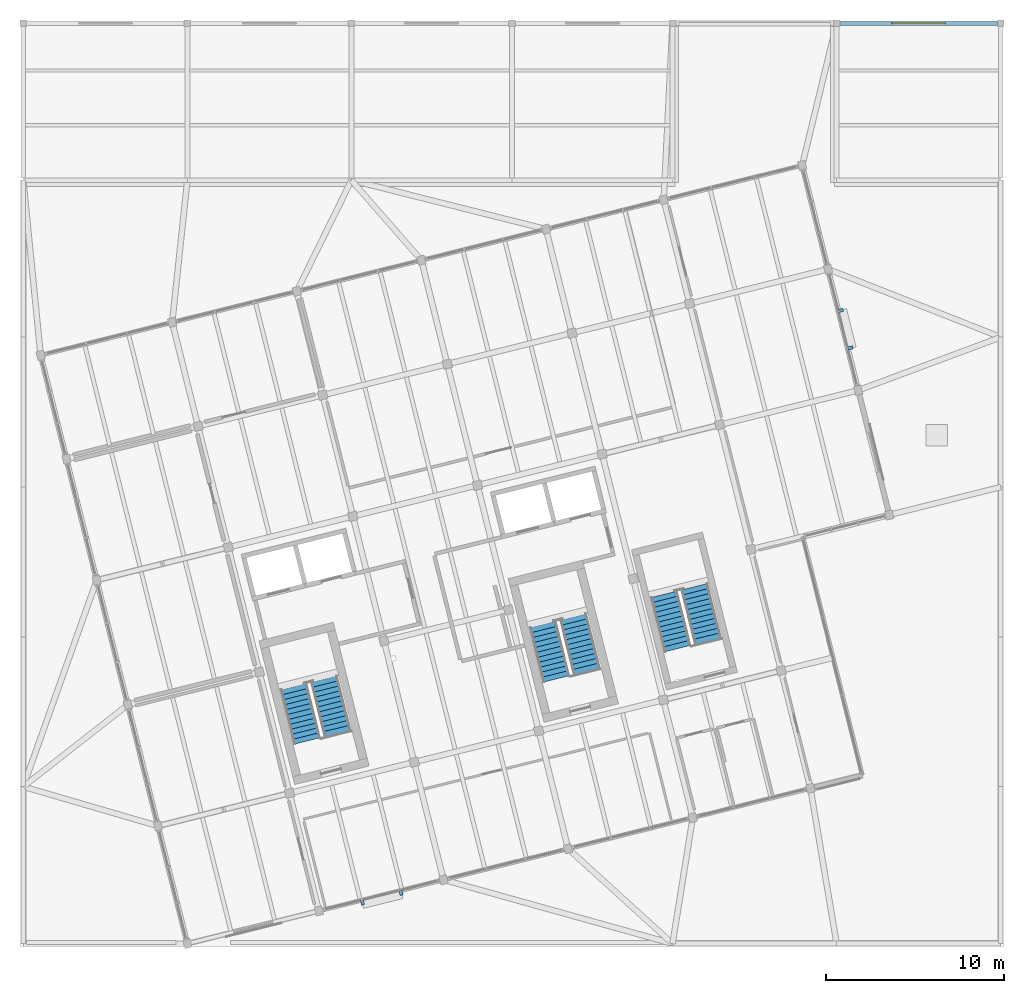
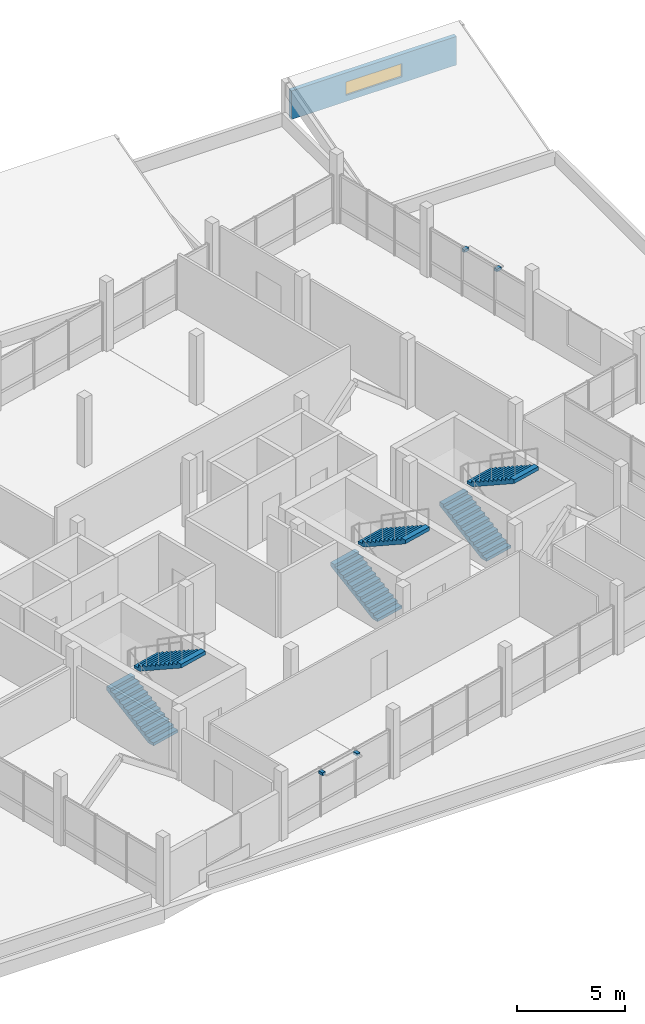
# One storey, part 36 of 37: 6 stair flights, 4 discrete accessories, 1 wall, 1 window, 1 opening, 3 elements without a shape of their own.
"""IFC4 building model written with IfcOpenShell, lengths in metres."""

from ifc_helpers import new_model, si_unit, direction, frame, frame_2d, origin, origin_2d, place, context, subcontext, project, spatial, polyline, rectangle, outline, extrude, material, layer, layer_set, type_object, element, fill, aggregate, save


model = new_model("IFC4")

# Units and contexts
model_context = context("Model", 3, precision=1e-05, world=origin(), true_north=direction((0.0, 1.0)))
body_context = subcontext(model_context, "Body", "Model", "MODEL_VIEW")
ifc_project = project(units=[si_unit("LENGTHUNIT", "METRE"), si_unit("AREAUNIT", "SQUARE_METRE"), si_unit("VOLUMEUNIT", "CUBIC_METRE"), si_unit("PLANEANGLEUNIT", "RADIAN"), si_unit("MASSUNIT", "GRAM", prefix="KILO")], contexts=[model_context])

# Site, building, storey
site_placement = place(None, origin())
site = spatial("IfcSite", under=ifc_project, at=site_placement, CompositionType="ELEMENT")
building_placement = place(site_placement, origin())
building = spatial("IfcBuilding", under=site, at=building_placement, Name="Meriwether Solvik Hall", CompositionType="ELEMENT")
storey_placement = place(building_placement, frame((0.0, 0.0, 26.10009765625)))
storey = spatial("IfcBuildingStorey", under=building, at=storey_placement, Name="L06", CompositionType="ELEMENT", Elevation=26.10009765625)

# Wall, opening, window
ifc_material_1 = material(Name="Cross-Laminated Timber and Polyisocyanurate Insulation", Category="wood")
ifc_layer = layer(ifc_material_1, 0.22998046875)
ifc_layer_set = layer_set([ifc_layer], Name="Cross-Laminated Timber and Polyisocyanurate Insulation")
wall_type = type_object("IfcWallType", Name="WALL-MON-230", PredefinedType="SOLIDWALL", material=ifc_layer_set)
wall_placement = place(storey_placement, frame((114.010009765625, 92.800048828125, 0.1748046875), z_axis=(0.0, 0.0, 1.0), x_axis=(-1.0, 0.0, 0.0)))
wall = element("IfcWall", 1, at=wall_placement, inside=storey, type_object=wall_type, Name="Sawtooth Monitor Clerestory Wall w4b_north_e_b1", PredefinedType="SOLIDWALL", context=body_context, shape_type="SweptSolid", body=[
    extrude(rectangle(XDim=8.820068359375, YDim=0.22998046875, at=frame_2d((4.41015625, 0.0))), origin(), (0.0, 0.0, 1.0), 1.6162109375),
])
opening_placement = place(wall_placement, frame((2.909912109375, 0.0, 0.35009765625)))
opening = element("IfcOpeningElement", 2, at=opening_placement, cuts=wall, Name="Opening SK-164", PredefinedType="OPENING", context=body_context, shape_type="SweptSolid", body=[
    extrude(rectangle(XDim=3.0, YDim=0.75, at=frame_2d((1.5, 0.375))), frame((0.0, 0.126953125, 0.0), z_axis=(0.0, -1.0, 0.0), x_axis=(1.0, 0.0, 0.0)), (0.0, 0.0, 1.0), 0.25390625),
])
ifc_material_2 = material(Name="Thermally Broken Anodised Aluminium and Triple Low-E Glass", Category="aluminium")
window_type = type_object("IfcWindowType", Name="SKY-MON-300X075", PartitioningType="SINGLE_PANEL", PredefinedType="SKYLIGHT", material=ifc_material_2)
window_placement = place(opening_placement, origin())
window = element("IfcWindow", 3, at=window_placement, inside=storey, type_object=window_type, Name="Sawtooth Northlight Skylight w4b_north_e_b1-1", OverallHeight=0.75, OverallWidth=3.0, PartitioningType="SINGLE_PANEL", PredefinedType="SKYLIGHT", context=body_context, shape_type="SweptSolid", body=[
    extrude(rectangle(XDim=3.0, YDim=0.75, at=frame_2d((1.5, 0.375))), frame((0.0, 0.030029296875, 0.0), z_axis=(0.0, -1.0, 0.0), x_axis=(1.0, 0.0, 0.0)), (0.0, 0.0, 1.0), 0.06005859375),
])
fill(opening, window)

# Stair, stair flights
ifc_material_3 = material(Name="Concrete C40/50", Category="concrete")
stair_type = type_object("IfcStairType", Name="STR-CORE-DOGLEG-A", PredefinedType="TWO_STRAIGHT_RUN_STAIR", material=ifc_material_3)
stair_1_placement = place(storey_placement, origin())
stair_1 = element("IfcStair", 4, at=stair_1_placement, inside=storey, type_object=stair_type, Name="Exit Stair ST-01 (L06)", PredefinedType="TWO_STRAIGHT_RUN_STAIR")
ifc_material_4 = material(Name="Concrete C40/50", Category="concrete")
stair_flight_type = type_object("IfcStairFlightType", Name="SFL-RC-156", PredefinedType="STRAIGHT", material=ifc_material_4)
stair_flight_1_placement = place(storey_placement, frame((75.310791015625, 52.56103515625, 0.0), z_axis=(0.0, 0.0, 1.0), x_axis=(-0.2419218956, 0.970295726276, 0.0)))
stair_flight_1 = element("IfcStairFlight", 5, at=stair_flight_1_placement, type_object=stair_flight_type, Name="Stair ST-01 Lower Flight (L06)", NumberOfRisers=12, NumberOfTreads=11, PredefinedType="STRAIGHT", RiserHeight=0.1625, TreadLength=0.285, context=body_context, shape_type="SweptSolid", body=[
    extrude(outline(polyline([(0.0, 0.0), (0.0, 0.16259765625), (0.284912109375, 0.16259765625), (0.284912109375, 0.324951171875), (0.570068359375, 0.324951171875), (0.570068359375, 0.487548828125), (0.85498046875, 0.487548828125), (0.85498046875, 0.64990234375), (1.139892578125, 0.64990234375), (1.139892578125, 0.8125), (1.425048828125, 0.8125), (1.425048828125, 0.97509765625), (1.7099609375, 0.97509765625), (1.7099609375, 1.137451171875), (1.9951171875, 1.137451171875), (1.9951171875, 1.300048828125), (2.280029296875, 1.300048828125), (2.280029296875, 1.46240234375), (2.56494140625, 1.46240234375), (2.56494140625, 1.625), (2.85009765625, 1.625), (2.85009765625, 1.78759765625), (3.135009765625, 1.78759765625), (3.135009765625, 1.949951171875), (3.135009765625, 1.580322265625), (0.36328125, 0.0), (0.0, 0.0)])), frame((0.0, 0.780029296875, 0.0), z_axis=(0.0, -1.0, 0.0), x_axis=(1.0, 0.0, 0.0)), (0.0, 0.0, 1.0), 1.56005859375),
])
stair_flight_2_placement = place(storey_placement, frame((76.279541015625, 56.033447265625, 1.949951171875), z_axis=(0.0, 0.0, 1.0), x_axis=(0.2419218956, -0.970295726276, 0.0)))
stair_flight_2 = element("IfcStairFlight", 6, at=stair_flight_2_placement, type_object=stair_flight_type, Name="Stair ST-01 Upper Flight (L06)", NumberOfRisers=12, NumberOfTreads=11, PredefinedType="STRAIGHT", RiserHeight=0.1625, TreadLength=0.285, context=body_context, shape_type="SweptSolid", body=[
    extrude(outline(polyline([(0.0, 0.0), (0.0, 0.16259765625), (0.284912109375, 0.16259765625), (0.284912109375, 0.324951171875), (0.570068359375, 0.324951171875), (0.570068359375, 0.487548828125), (0.85498046875, 0.487548828125), (0.85498046875, 0.64990234375), (1.139892578125, 0.64990234375), (1.139892578125, 0.8125), (1.425048828125, 0.8125), (1.425048828125, 0.97509765625), (1.7099609375, 0.97509765625), (1.7099609375, 1.137451171875), (1.9951171875, 1.137451171875), (1.9951171875, 1.300048828125), (2.280029296875, 1.300048828125), (2.280029296875, 1.46240234375), (2.56494140625, 1.46240234375), (2.56494140625, 1.625), (2.85009765625, 1.625), (2.85009765625, 1.78759765625), (3.135009765625, 1.78759765625), (3.135009765625, 1.949951171875), (3.135009765625, 1.580322265625), (0.36328125, 0.0), (0.0, 0.0)])), frame((0.0, 0.780029296875, 0.0), z_axis=(0.0, -1.0, 0.0), x_axis=(1.0, 0.0, 0.0)), (0.0, 0.0, 1.0), 1.56005859375),
])
aggregate(stair_1, [stair_flight_1, stair_flight_2])

stair_2_placement = place(storey_placement, origin())
stair_2 = element("IfcStair", 7, at=stair_2_placement, inside=storey, type_object=stair_type, Name="Exit Stair ST-02 (L06)", PredefinedType="TWO_STRAIGHT_RUN_STAIR")
stair_flight_3_placement = place(storey_placement, frame((89.283203125, 56.044677734375, 0.0), z_axis=(0.0, 0.0, 1.0), x_axis=(-0.2419218956, 0.970295726276, 0.0)))
stair_flight_3 = element("IfcStairFlight", 8, at=stair_flight_3_placement, type_object=stair_flight_type, Name="Stair ST-02 Lower Flight (L06)", NumberOfRisers=12, NumberOfTreads=11, PredefinedType="STRAIGHT", RiserHeight=0.1625, TreadLength=0.285, context=body_context, shape_type="SweptSolid", body=[
    extrude(outline(polyline([(0.0, 0.0), (0.0, 0.16259765625), (0.284912109375, 0.16259765625), (0.284912109375, 0.324951171875), (0.570068359375, 0.324951171875), (0.570068359375, 0.487548828125), (0.85498046875, 0.487548828125), (0.85498046875, 0.64990234375), (1.139892578125, 0.64990234375), (1.139892578125, 0.8125), (1.425048828125, 0.8125), (1.425048828125, 0.97509765625), (1.7099609375, 0.97509765625), (1.7099609375, 1.137451171875), (1.9951171875, 1.137451171875), (1.9951171875, 1.300048828125), (2.280029296875, 1.300048828125), (2.280029296875, 1.46240234375), (2.56494140625, 1.46240234375), (2.56494140625, 1.625), (2.85009765625, 1.625), (2.85009765625, 1.78759765625), (3.135009765625, 1.78759765625), (3.135009765625, 1.949951171875), (3.135009765625, 1.580322265625), (0.36328125, 0.0), (0.0, 0.0)])), frame((0.0, 0.780029296875, 0.0), z_axis=(0.0, -1.0, 0.0), x_axis=(1.0, 0.0, 0.0)), (0.0, 0.0, 1.0), 1.56005859375),
])
stair_flight_4_placement = place(storey_placement, frame((90.251953125, 59.51708984375, 1.949951171875), z_axis=(0.0, 0.0, 1.0), x_axis=(0.2419218956, -0.970295726276, 0.0)))
stair_flight_4 = element("IfcStairFlight", 9, at=stair_flight_4_placement, type_object=stair_flight_type, Name="Stair ST-02 Upper Flight (L06)", NumberOfRisers=12, NumberOfTreads=11, PredefinedType="STRAIGHT", RiserHeight=0.1625, TreadLength=0.285, context=body_context, shape_type="SweptSolid", body=[
    extrude(outline(polyline([(0.0, 0.0), (0.0, 0.16259765625), (0.284912109375, 0.16259765625), (0.284912109375, 0.324951171875), (0.570068359375, 0.324951171875), (0.570068359375, 0.487548828125), (0.85498046875, 0.487548828125), (0.85498046875, 0.64990234375), (1.139892578125, 0.64990234375), (1.139892578125, 0.8125), (1.425048828125, 0.8125), (1.425048828125, 0.97509765625), (1.7099609375, 0.97509765625), (1.7099609375, 1.137451171875), (1.9951171875, 1.137451171875), (1.9951171875, 1.300048828125), (2.280029296875, 1.300048828125), (2.280029296875, 1.46240234375), (2.56494140625, 1.46240234375), (2.56494140625, 1.625), (2.85009765625, 1.625), (2.85009765625, 1.78759765625), (3.135009765625, 1.78759765625), (3.135009765625, 1.949951171875), (3.135009765625, 1.580322265625), (0.36328125, 0.0), (0.0, 0.0)])), frame((0.0, 0.780029296875, 0.0), z_axis=(0.0, -1.0, 0.0), x_axis=(1.0, 0.0, 0.0)), (0.0, 0.0, 1.0), 1.56005859375),
])
aggregate(stair_2, [stair_flight_3, stair_flight_4])

stair_3_placement = place(storey_placement, origin())
stair_3 = element("IfcStair", 10, at=stair_3_placement, inside=storey, type_object=stair_type, Name="Exit Stair ST-03 (L06)", PredefinedType="TWO_STRAIGHT_RUN_STAIR")
stair_flight_5_placement = place(storey_placement, frame((96.0751953125, 57.738037109375, 0.0), z_axis=(0.0, 0.0, 1.0), x_axis=(-0.2419218956, 0.970295726276, 0.0)))
stair_flight_5 = element("IfcStairFlight", 11, at=stair_flight_5_placement, type_object=stair_flight_type, Name="Stair ST-03 Lower Flight (L06)", NumberOfRisers=12, NumberOfTreads=11, PredefinedType="STRAIGHT", RiserHeight=0.1625, TreadLength=0.285, context=body_context, shape_type="SweptSolid", body=[
    extrude(outline(polyline([(0.0, 0.0), (0.0, 0.16259765625), (0.284912109375, 0.16259765625), (0.284912109375, 0.324951171875), (0.570068359375, 0.324951171875), (0.570068359375, 0.487548828125), (0.85498046875, 0.487548828125), (0.85498046875, 0.64990234375), (1.139892578125, 0.64990234375), (1.139892578125, 0.8125), (1.425048828125, 0.8125), (1.425048828125, 0.97509765625), (1.7099609375, 0.97509765625), (1.7099609375, 1.137451171875), (1.9951171875, 1.137451171875), (1.9951171875, 1.300048828125), (2.280029296875, 1.300048828125), (2.280029296875, 1.46240234375), (2.56494140625, 1.46240234375), (2.56494140625, 1.625), (2.85009765625, 1.625), (2.85009765625, 1.78759765625), (3.135009765625, 1.78759765625), (3.135009765625, 1.949951171875), (3.135009765625, 1.580322265625), (0.36328125, 0.0), (0.0, 0.0)])), frame((0.0, 0.780029296875, 0.0), z_axis=(0.0, -1.0, 0.0), x_axis=(1.0, 0.0, 0.0)), (0.0, 0.0, 1.0), 1.56005859375),
])
stair_flight_6_placement = place(storey_placement, frame((97.0439453125, 61.210693359375, 1.949951171875), z_axis=(0.0, 0.0, 1.0), x_axis=(0.2419218956, -0.970295726276, 0.0)))
stair_flight_6 = element("IfcStairFlight", 12, at=stair_flight_6_placement, type_object=stair_flight_type, Name="Stair ST-03 Upper Flight (L06)", NumberOfRisers=12, NumberOfTreads=11, PredefinedType="STRAIGHT", RiserHeight=0.1625, TreadLength=0.285, context=body_context, shape_type="SweptSolid", body=[
    extrude(outline(polyline([(0.0, 0.0), (0.0, 0.16259765625), (0.284912109375, 0.16259765625), (0.284912109375, 0.324951171875), (0.570068359375, 0.324951171875), (0.570068359375, 0.487548828125), (0.85498046875, 0.487548828125), (0.85498046875, 0.64990234375), (1.139892578125, 0.64990234375), (1.139892578125, 0.8125), (1.425048828125, 0.8125), (1.425048828125, 0.97509765625), (1.7099609375, 0.97509765625), (1.7099609375, 1.137451171875), (1.9951171875, 1.137451171875), (1.9951171875, 1.300048828125), (2.280029296875, 1.300048828125), (2.280029296875, 1.46240234375), (2.56494140625, 1.46240234375), (2.56494140625, 1.625), (2.85009765625, 1.625), (2.85009765625, 1.78759765625), (3.135009765625, 1.78759765625), (3.135009765625, 1.949951171875), (3.135009765625, 1.580322265625), (0.36328125, 0.0), (0.0, 0.0)])), frame((0.0, 0.780029296875, 0.0), z_axis=(0.0, -1.0, 0.0), x_axis=(1.0, 0.0, 0.0)), (0.0, 0.0, 1.0), 1.56005859375),
])
aggregate(stair_3, [stair_flight_5, stair_flight_6])

# Discrete accessories
ifc_material_5 = material(Name="Steel A36 Galvanised", Category="steel")
discrete_accessory_type = type_object("IfcDiscreteAccessoryType", Name="ACC-BRK-STL", PredefinedType="BRACKET", material=ifc_material_5)
for number, where, z_axis, x_axis, name in (
    (13, (80.58154296875, 44.04296875, 2.44970703125), (0.0, 0.0, 1.0), (-0.970295734974, -0.241921860714, 0.0), "Sunshade Outrigger Bracket E0_B1-1"),
    (14, (78.420654296875, 43.50439453125, 2.44970703125), (0.0, 0.0, 1.0), (-0.970295734974, -0.241921860714, 0.0), "Sunshade Outrigger Bracket E0_B1-2"),
    (15, (105.240478515625, 76.69873046875, 2.44970703125), (0.0, 0.0, 1.0), (0.241921764185, -0.970295759041, 0.0), "Sunshade Outrigger Bracket E3_B1-1"),
    (16, (105.76318359375, 74.6025390625, 2.44970703125), (0.0, 0.0, 1.0), (0.241921764185, -0.970295759041, 0.0), "Sunshade Outrigger Bracket E3_B1-2"),
):
    element("IfcDiscreteAccessory", number, at=place(storey_placement, frame(where, z_axis=z_axis, x_axis=x_axis)), inside=storey, type_object=discrete_accessory_type, Name=name, PredefinedType="BRACKET", context=body_context, shape_type="SweptSolid", body=[
        extrude(rectangle(XDim=0.179931640625, YDim=0.280029296875, at=origin_2d()), origin(), (0.0, 0.0, 1.0), 0.159912109375),
    ])

save(model, "model.ifc")
